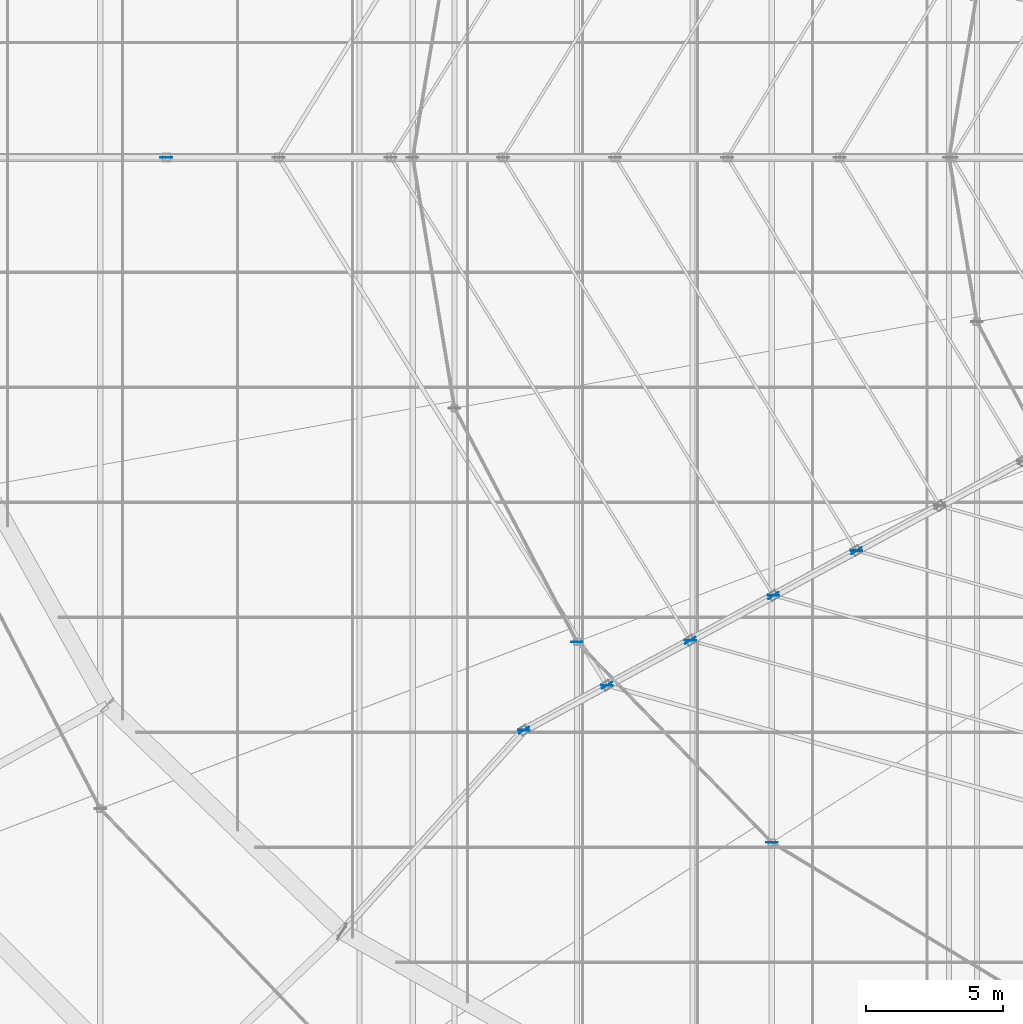
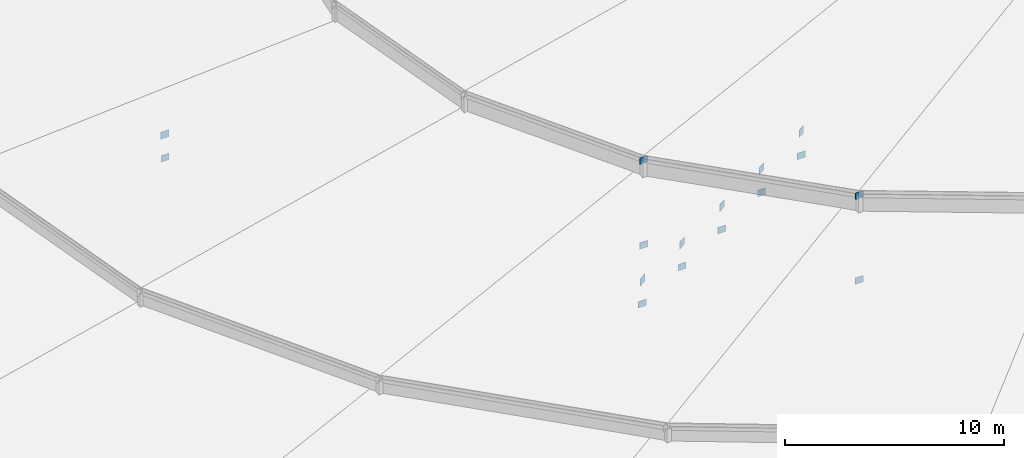
# One storey, part 162 of 184: 16 plates.
"""IFC4 building model written with IfcOpenShell, lengths in metres."""

from ifc_helpers import new_model, si_unit, direction, frame, origin, origin_2d, place, context, subcontext, project, spatial, rectangle, extrude, material, layer, layer_set, type_object, element, save


model = new_model("IFC4")

# Units and contexts
model_context = context("Model", 3, precision=1e-05, world=origin(), true_north=direction((0.0, 1.0)))
body_context = subcontext(model_context, "Body", "Model", "MODEL_VIEW")
ifc_project = project(units=[si_unit("LENGTHUNIT", "METRE"), si_unit("AREAUNIT", "SQUARE_METRE"), si_unit("VOLUMEUNIT", "CUBIC_METRE"), si_unit("PLANEANGLEUNIT", "RADIAN"), si_unit("MASSUNIT", "GRAM", prefix="KILO")], contexts=[model_context])

# Site, building, storey
site_placement = place(None, origin())
site = spatial("IfcSite", under=ifc_project, at=site_placement, CompositionType="ELEMENT")
building_placement = place(site_placement, origin())
building = spatial("IfcBuilding", under=site, at=building_placement, Name="Kalgoora Escarpment Arena", CompositionType="ELEMENT")
storey_placement = place(building_placement, frame((0.0, 0.0, 27.60009765625)))
storey = spatial("IfcBuildingStorey", under=building, at=storey_placement, Name="Roof Level", CompositionType="ELEMENT", Elevation=27.60009765625)

# Plates
ifc_material = material(Name="Structural steel Grade 350 (350 MPa)", Category="steel")
ifc_layer = layer(ifc_material, 0.02490234375)
ifc_layer_set = layer_set([ifc_layer], Name="PLT-GUSSET-25")
plate_type = type_object("IfcPlateType", Name="PLT-GUSSET-25", PredefinedType="USERDEFINED", material=ifc_layer_set)
for number, where, z_axis, x_axis, name in (
    (1, (47.800048828125, 64.0, -0.550048828125), (0.0, 0.0, 1.0), (1.0, 0.0, 0.0), "Radial ROOF TRUSS node gusset plate S5-1"),
    (2, (60.863037109375, 43.069580078125, -0.550048828125), (0.0, 0.0, 1.0), (0.84179353575, 0.539799632428, 0.0), "Radial ROOF TRUSS node gusset plate S6-1"),
    (3, (63.902587890625, 44.710205078125, -0.5400390625), (0.0, 0.0, 1.0), (0.84179353575, 0.539799632428, 0.0), "Radial ROOF TRUSS node gusset plate S6-2"),
    (4, (66.9423828125, 46.3505859375, -0.530029296875), (0.0, 0.0, 1.0), (0.84179353575, 0.539799632428, 0.0), "Radial ROOF TRUSS node gusset plate S6-3"),
    (5, (69.982177734375, 47.9912109375, -0.52001953125), (0.0, 0.0, 1.0), (0.84179353575, 0.539799632428, 0.0), "Radial ROOF TRUSS node gusset plate S6-4"),
    (6, (73.02197265625, 49.631591796875, -0.510009765625), (0.0, 0.0, 1.0), (0.84179353575, 0.539799632428, 0.0), "Radial ROOF TRUSS node gusset plate S6-5"),
):
    element("IfcPlate", number, at=place(storey_placement, frame(where, z_axis=z_axis, x_axis=x_axis)), inside=storey, type_object=plate_type, Name=name, ObjectType="FLANGE PLATE", PredefinedType="USERDEFINED", context=body_context, shape_type="SweptSolid", body=[
        extrude(rectangle(XDim=0.43994140625, YDim=0.02490234375, at=origin_2d()), origin(), (0.0, 0.0, 1.0), 0.39990234375),
    ])
for number, where, z_axis, x_axis, name in (
    (7, (47.800048828125, 64.0, -1.830078125), (0.0, 0.0, 1.0), (1.0, 0.0, 0.0), "Brace and post end gusset plate 112"),
    (8, (60.863037109375, 43.069580078125, -1.830078125), (0.0, 0.0, 1.0), (1.0, 0.0, 0.0), "Brace and post end gusset plate 123"),
    (9, (63.902587890625, 44.710205078125, -1.8251953125), (0.0, 0.0, 1.0), (1.0, 0.0, 0.0), "Brace and post end gusset plate 124"),
    (10, (66.9423828125, 46.3505859375, -1.8203125), (0.0, 0.0, 1.0), (1.0, 0.0, 0.0), "Brace and post end gusset plate 125"),
    (11, (69.982177734375, 47.9912109375, -1.81494140625), (0.0, 0.0, 1.0), (1.0, 0.0, 0.0), "Brace and post end gusset plate 126"),
    (12, (73.02197265625, 49.631591796875, -1.81005859375), (0.0, 0.0, 1.0), (1.0, 0.0, 0.0), "Brace and post end gusset plate 127"),
    (13, (62.802001953125, 46.300048828125, -1.2001953125), (0.0, 0.0, 1.0), (1.0, 0.0, 0.0), "Brace and post end gusset plate 254"),
    (14, (62.802001953125, 46.300048828125, 3.52490234375), (0.0, 0.0, 1.0), (1.0, 0.0, 0.0), "Brace and post end gusset plate 255"),
    (15, (69.921630859375, 38.968505859375, -1.2001953125), (0.0, 0.0, 1.0), (1.0, 0.0, 0.0), "Brace and post end gusset plate 256"),
    (16, (69.921630859375, 38.968505859375, 3.52490234375), (0.0, 0.0, 1.0), (1.0, 0.0, 0.0), "Brace and post end gusset plate 257"),
):
    element("IfcPlate", number, at=place(storey_placement, frame(where, z_axis=z_axis, x_axis=x_axis)), inside=storey, type_object=plate_type, Name=name, ObjectType="FLANGE PLATE", PredefinedType="USERDEFINED", context=body_context, shape_type="SweptSolid", body=[
        extrude(rectangle(XDim=0.419921875, YDim=0.02490234375, at=origin_2d()), origin(), (0.0, 0.0, 1.0), 0.360107421875),
    ])

save(model, "model.ifc")
